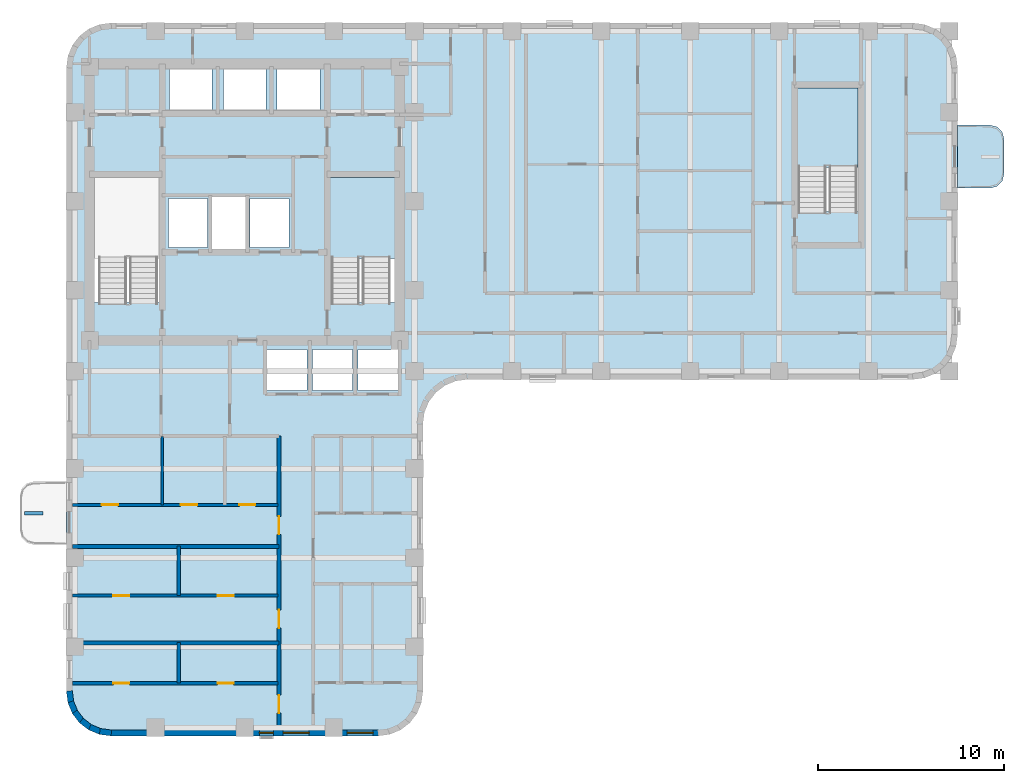
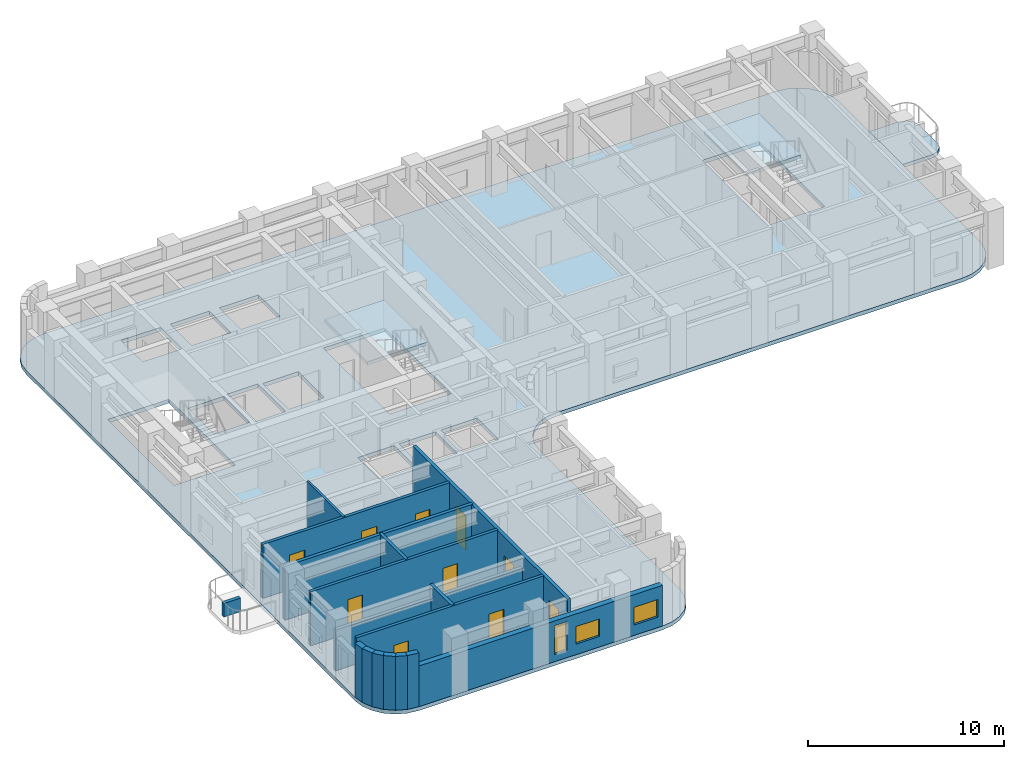
# One storey, part 2 of 10: 17 walls, 10 doors, 4 slabs, 3 windows, 13 openings, 2 elements without a shape of their own.
"""IFC4 building model written with IfcOpenShell, lengths in metres."""

import ifcopenshell
import ifcopenshell.guid

model = None  # the IFC model being written
_history = None  # IfcOwnerHistory: only IFC2X3 demands one
_inside = {}  # id of a spatial element -> (the spatial element, [elements in it])
_under = {}  # id of a project, library or spatial element -> (it, [spatial elements below it])
_declared = {}  # id of a project -> (the project, [libraries it declares])
_typed = {}  # id of a type object -> (the type object, [elements of that type])
_made_of = {}  # id of a material, layer set ... -> (it, [elements and type objects made of it])


def new_model(schema):
    """Start an empty IFC model of exactly this schema.

    Asked for "IFC4X3", IfcOpenShell would pick the latest addendum, in which some entities
    have other attributes; the version numbers below select the first issue.
    IFC2X3 requires an IfcOwnerHistory on every rooted entity: one is made here for all.
    """
    global model, _history
    if schema == "IFC4X3":
        model = ifcopenshell.file(schema_version=(4, 3, 0, 0))
    else:
        model = ifcopenshell.file(schema=schema)
    _inside.clear()
    _under.clear()
    _declared.clear()
    _typed.clear()
    _made_of.clear()
    _history = None
    if model.schema == "IFC2X3":
        org = make("IfcOrganization", Name="unknown")
        user = make(
            "IfcPersonAndOrganization",
            ThePerson=make("IfcPerson", FamilyName="unknown"),
            TheOrganization=org,
        )
        app = make(
            "IfcApplication",
            ApplicationDeveloper=org,
            Version="unknown",
            ApplicationFullName="unknown",
            ApplicationIdentifier="unknown",
        )
        _history = make(
            "IfcOwnerHistory",
            OwningUser=user,
            OwningApplication=app,
            ChangeAction="ADDED",
            CreationDate=0,
        )
    return model


def make(cls, **values):
    """One entity of the class cls with the attributes given. An attribute that is None is left unset."""
    return model.create_entity(
        cls, **{name: value for name, value in values.items() if value is not None}
    )


def rooted(cls, **values):
    """An entity with a GlobalId (a new one), such as an element, a storey or a relation."""
    return make(cls, GlobalId=ifcopenshell.guid.new(), OwnerHistory=_history, **values)


def si_unit(unit_type, name, prefix=None):
    """IfcSIUnit, for example si_unit("LENGTHUNIT", "METRE", prefix="MILLI")."""
    return make("IfcSIUnit", UnitType=unit_type, Prefix=prefix, Name=name)


def assignment(units):
    """IfcUnitAssignment: the units of a project."""
    return None if units is None else make("IfcUnitAssignment", Units=units)


def point(xyz):
    """IfcCartesianPoint."""
    return None if xyz is None else make("IfcCartesianPoint", Coordinates=xyz)


def direction(xyz):
    """IfcDirection."""
    return None if xyz is None else make("IfcDirection", DirectionRatios=xyz)


def frame(location, z_axis=None, x_axis=None):
    """IfcAxis2Placement3D, a coordinate frame: its origin and axes. An axis left out is left unset."""
    return make(
        "IfcAxis2Placement3D",
        Location=point(location),
        Axis=direction(z_axis),
        RefDirection=direction(x_axis),
    )


def frame_2d(location, x_axis=None):
    """IfcAxis2Placement2D, a coordinate frame in the plane: its origin and x axis."""
    return make(
        "IfcAxis2Placement2D", Location=point(location), RefDirection=direction(x_axis)
    )


def origin():
    """The frame at (0, 0, 0) with its axes left unset."""
    return frame((0.0, 0.0, 0.0))


def place(relative_to, where):
    """IfcLocalPlacement: puts the frame where relative to a parent placement (None: the world)."""
    return make(
        "IfcLocalPlacement", PlacementRelTo=relative_to, RelativePlacement=where
    )


def context(
    kind, dimensions, precision=None, world=None, true_north=None, identifier=None
):
    """IfcGeometricRepresentationContext, for example the 3D "Model" context."""
    return make(
        "IfcGeometricRepresentationContext",
        ContextIdentifier=identifier,
        ContextType=kind,
        CoordinateSpaceDimension=dimensions,
        Precision=precision,
        WorldCoordinateSystem=world,
        TrueNorth=true_north,
    )


def subcontext(parent, identifier, kind, view, scale=None):
    """IfcGeometricRepresentationSubContext, for example "Body" below "Model"."""
    return make(
        "IfcGeometricRepresentationSubContext",
        ContextIdentifier=identifier,
        ContextType=kind,
        ParentContext=parent,
        TargetScale=scale,
        TargetView=view,
    )


def project(units=None, contexts=None):
    """IfcProject with its units and contexts."""
    return rooted(
        "IfcProject",
        Name="project",
        RepresentationContexts=contexts,
        UnitsInContext=assignment(units),
    )


def spatial(cls, under=None, at=None, **own):
    """A site, building, storey or space (cls), placed at a placement, below another one or the project."""
    s = rooted(cls, ObjectPlacement=at, **own)
    if under is not None:
        _under.setdefault(under.id(), (under, []))[1].append(s)
    return s


def polyline(points):
    """IfcPolyline through the points."""
    return make("IfcPolyline", Points=[point(p) for p in points])


def profile(cls, at=None, kind="AREA", **sizes):
    """A parametric profile (cls). Its sizes go by their IFC names, for example OverallWidth=200.0."""
    return make(cls, ProfileType=kind, Position=at, **sizes)


def rectangle(**sizes):
    """IfcRectangleProfileDef."""
    return profile("IfcRectangleProfileDef", **sizes)


def outline(outer, holes=None, kind="AREA"):
    """IfcArbitraryClosedProfileDef: a profile drawn as a closed curve; with holes, ...WithVoids."""
    if holes is None:
        return make("IfcArbitraryClosedProfileDef", ProfileType=kind, OuterCurve=outer)
    return make(
        "IfcArbitraryProfileDefWithVoids",
        ProfileType=kind,
        OuterCurve=outer,
        InnerCurves=holes,
    )


def extrude(swept, where, along, depth):
    """IfcExtrudedAreaSolid: the profile swept, set in the frame where, extruded along a direction by depth."""
    return make(
        "IfcExtrudedAreaSolid",
        SweptArea=swept,
        Position=where,
        ExtrudedDirection=direction(along),
        Depth=depth,
    )


def shape(context_of_items, identifier, shape_type, items):
    """IfcShapeRepresentation: the items that make up one representation, for example the "Body"."""
    return make(
        "IfcShapeRepresentation",
        ContextOfItems=context_of_items,
        RepresentationIdentifier=identifier,
        RepresentationType=shape_type,
        Items=items,
    )


def material(Name=None, Category=None):
    """IfcMaterial."""
    return make("IfcMaterial", Name=Name, Category=Category)


def layer(
    of_material, thickness, ventilated=None, Name=None, Category=None, Priority=None
):
    """IfcMaterialLayer: one layer of a wall or slab, of a material (None: an air gap)."""
    return make(
        "IfcMaterialLayer",
        Material=of_material,
        LayerThickness=thickness,
        IsVentilated=ventilated,
        Name=Name,
        Category=Category,
        Priority=Priority,
    )


def layer_set(layers, Name=None):
    """IfcMaterialLayerSet."""
    return make("IfcMaterialLayerSet", MaterialLayers=layers, LayerSetName=Name)


def made_of(thing, what):
    """Note that an element or type object is made of a material, layer set ...; save() writes the relation."""
    if what is not None:
        _made_of.setdefault(what.id(), (what, []))[1].append(thing)
    return thing


def type_object(cls, material=None, **own):
    """A type object (cls), such as IfcWallType, which elements share."""
    return made_of(rooted(cls, **own), material)


def element(
    cls,
    number,
    at=None,
    inside=None,
    cuts=None,
    type_object=None,
    material=None,
    context=None,
    identifier="Body",
    shape_type=None,
    held_by="IfcProductDefinitionShape",
    body=None,
    shapes=None,
    **own,
):
    """One element of the class cls, such as IfcWall. Its Tag is "e" and its number.

    at: its placement. inside: the storey or other place that contains it. cuts: it is an
    opening in that element (IfcRelVoidsElement). A single representation is given by context,
    identifier, shape_type and body (its items); several are given by shapes. held_by: the class
    of the entity that holds the representations. save() writes the other relations.
    """
    e = rooted(cls, Tag="e%d" % number, ObjectPlacement=at, **own)
    if body is not None:
        shapes = [shape(context, identifier, shape_type, body)]
    if shapes is not None:
        e.Representation = make(held_by, Representations=shapes)
    if inside is not None:
        _inside.setdefault(inside.id(), (inside, []))[1].append(e)
    if cuts is not None:
        rooted(
            "IfcRelVoidsElement", RelatingBuildingElement=cuts, RelatedOpeningElement=e
        )
    if type_object is not None:
        _typed.setdefault(type_object.id(), (type_object, []))[1].append(e)
    return made_of(e, material)


def fill(opening, filler):
    """IfcRelFillsElement: the door or window that sits in an opening."""
    return rooted(
        "IfcRelFillsElement",
        RelatingOpeningElement=opening,
        RelatedBuildingElement=filler,
    )


def aggregate(whole, parts):
    """IfcRelAggregates: a whole, such as a stair, and the parts it consists of."""
    return rooted("IfcRelAggregates", RelatingObject=whole, RelatedObjects=parts)


def save(model, path):
    """Write the relations noted so far, then the file.

    IfcRelAggregates (storeys below a building ...), IfcRelContainedInSpatialStructure (elements
    in a storey), IfcRelDefinesByType, IfcRelAssociatesMaterial and IfcRelDeclares: one each for
    every whole, place, type object, material and project.
    """
    for whole, parts in _under.values():
        aggregate(whole, parts)
    for where, things in _inside.values():
        rooted(
            "IfcRelContainedInSpatialStructure",
            RelatedElements=things,
            RelatingStructure=where,
        )
    for kind, things in _typed.values():
        rooted("IfcRelDefinesByType", RelatedObjects=things, RelatingType=kind)
    for what, things in _made_of.values():
        rooted("IfcRelAssociatesMaterial", RelatedObjects=things, RelatingMaterial=what)
    for by, libraries in _declared.values():
        rooted("IfcRelDeclares", RelatingContext=by, RelatedDefinitions=libraries)
    model.write(path)


model = new_model("IFC4")

# Units and contexts
model_context = context("Model", 3, precision=1e-05, world=origin(), true_north=direction((0.0, 1.0)))
body_context = subcontext(model_context, "Body", "Model", "MODEL_VIEW")
ifc_project = project(units=[si_unit("LENGTHUNIT", "METRE"), si_unit("AREAUNIT", "SQUARE_METRE"), si_unit("VOLUMEUNIT", "CUBIC_METRE"), si_unit("PLANEANGLEUNIT", "RADIAN"), si_unit("MASSUNIT", "GRAM", prefix="KILO")], contexts=[model_context])

# Site, building, storey
site_placement = place(None, origin())
site = spatial("IfcSite", under=ifc_project, at=site_placement, CompositionType="ELEMENT")
building_placement = place(site_placement, origin())
building = spatial("IfcBuilding", under=site, at=building_placement, Name="Orvandelia Arch Residences", CompositionType="ELEMENT")
storey_placement = place(building_placement, frame((0.0, 0.0, 139.60009765625)))
storey = spatial("IfcBuildingStorey", under=building, at=storey_placement, Name="L36", CompositionType="ELEMENT", Elevation=139.60009765625)

# Slab
ifc_material_1 = material(Name="Precast concrete C40/50", Category="concrete")
ifc_layer_1 = layer(ifc_material_1, 0.219970703125, Name="Precast concrete C40/50", Category="concrete")
ifc_layer_set_1 = layer_set([ifc_layer_1], Name="Precast concrete C40/50")
slab_type_1 = type_object("IfcSlabType", Name="SLB-BAL-220", PredefinedType="USERDEFINED", material=ifc_layer_set_1)
slab_1_placement = place(storey_placement, frame((0.0, 0.0, -0.22021484375)))
element("IfcSlab", 1, at=slab_1_placement, inside=storey, type_object=slab_type_1, Name="Tree Balcony Cantilever Slab BAL-L36-E1", ObjectType="BALCONY", PredefinedType="USERDEFINED", context=body_context, shape_type="SweptSolid", body=[
    extrude(outline(polyline([(52.800048828125, 42.5), (52.800048828125, 39.10009765625), (54.550048828125, 39.10009765625), (54.925048828125, 39.200439453125), (55.199462890625, 39.47509765625), (55.300048828125, 39.85009765625), (55.300048828125, 41.75), (55.199462890625, 42.125), (54.925048828125, 42.3994140625), (54.550048828125, 42.5), (52.800048828125, 42.5)])), origin(), (0.0, 0.0, 1.0), 0.22021484375),
])

# Stair, slab
ifc_material_2 = material(Name="Concrete C40/50", Category="concrete")
stair_type = type_object("IfcStairType", Name="STAIR-RC-DOGLEG", PredefinedType="HALF_TURN_STAIR", material=ifc_material_2)
stair_1_placement = place(storey_placement, origin())
stair_1 = element("IfcStair", 2, at=stair_1_placement, inside=storey, type_object=stair_type, Name="L36 Protected Exit Stair ST-2", PredefinedType="HALF_TURN_STAIR")
ifc_layer_2 = layer(ifc_material_2, 0.219970703125, Name="Concrete C40/50", Category="concrete")
ifc_layer_set_2 = layer_set([ifc_layer_2], Name="Concrete C40/50")
slab_type_2 = type_object("IfcSlabType", Name="SLB-LANDING-220", PredefinedType="LANDING", material=ifc_layer_set_2)
slab_2_placement = place(storey_placement, frame((0.0, 0.0, 1.599853515625)))
slab_2 = element("IfcSlab", 3, at=slab_2_placement, type_object=slab_type_2, Name="ST-2 landing 1", PredefinedType="LANDING", context=body_context, shape_type="SweptSolid", body=[
    extrude(outline(polyline([(22.5400390625, 35.31005859375), (22.5400390625, 39.68994140625), (19.0, 39.68994140625), (19.0, 35.31005859375), (22.5400390625, 35.31005859375)])), origin(), (0.0, 0.0, 1.0), 0.199951171875),
])
aggregate(stair_1, [slab_2])

stair_2_placement = place(storey_placement, origin())
stair_2 = element("IfcStair", 4, at=stair_2_placement, inside=storey, type_object=stair_type, Name="L36 East Wing Exit Stair ST-3", PredefinedType="HALF_TURN_STAIR")
slab_3_placement = place(storey_placement, frame((0.0, 0.0, 1.599853515625)))
slab_3 = element("IfcSlab", 5, at=slab_3_placement, type_object=slab_type_2, Name="ST-3 landing 1", PredefinedType="LANDING", context=body_context, shape_type="SweptSolid", body=[
    extrude(outline(polyline([(47.43994140625, 40.2099609375), (47.43994140625, 44.5), (44.179931640625, 44.5), (44.179931640625, 40.2099609375), (47.43994140625, 40.2099609375)])), origin(), (0.0, 0.0, 1.0), 0.199951171875),
])
aggregate(stair_2, [slab_3])

# Slab
ifc_layer_3 = layer(ifc_material_2, 0.239990234375, Name="Concrete C40/50", Category="concrete")
ifc_layer_set_3 = layer_set([ifc_layer_3], Name="Concrete C40/50")
slab_type_3 = type_object("IfcSlabType", Name="SLB-TWR-240", PredefinedType="FLOOR", material=ifc_layer_set_3)
slab_4_placement = place(storey_placement, frame((0.0, 0.0, -0.239990234375)))
element("IfcSlab", 6, at=slab_4_placement, inside=storey, type_object=slab_type_3, Name="Structural Floor Slab L36-1", PredefinedType="FLOOR", context=body_context, shape_type="SweptSolid", body=[
    extrude(outline(polyline([(4.800048828125, 12.0), (4.8818359375, 11.37890625), (5.12158203125, 10.800048828125), (5.5029296875, 10.302978515625), (6.0, 9.92138671875), (6.578857421875, 9.681884765625), (7.199951171875, 9.60009765625), (21.60009765625, 9.60009765625), (22.22119140625, 9.681884765625), (22.800048828125, 9.92138671875), (23.297119140625, 10.302978515625), (23.678466796875, 10.800048828125), (23.918212890625, 11.37890625), (24.0, 12.0), (24.0, 26.39990234375), (24.081787109375, 27.021240234375), (24.321533203125, 27.60009765625), (24.702880859375, 28.09716796875), (25.199951171875, 28.478515625), (25.77880859375, 28.71826171875), (26.39990234375, 28.800048828125), (50.39990234375, 28.800048828125), (51.021240234375, 28.8818359375), (51.60009765625, 29.12158203125), (52.09716796875, 29.5029296875), (52.478515625, 30.0), (52.71826171875, 30.578857421875), (52.800048828125, 31.199951171875), (52.800048828125, 45.60009765625), (52.71826171875, 46.22119140625), (52.478515625, 46.800048828125), (52.09716796875, 47.297119140625), (51.60009765625, 47.678466796875), (51.021240234375, 47.918212890625), (50.39990234375, 48.0), (7.199951171875, 48.0), (6.578857421875, 47.918212890625), (6.0, 47.678466796875), (5.5029296875, 47.297119140625), (5.12158203125, 46.800048828125), (4.8818359375, 46.22119140625), (4.800048828125, 45.60009765625), (4.800048828125, 12.0)]), holes=[polyline([(6.219970703125, 32.949951171875), (9.840087890625, 32.949951171875), (9.840087890625, 39.72998046875), (6.219970703125, 39.72998046875), (6.219970703125, 32.949951171875)]), polyline([(18.9599609375, 32.949951171875), (22.580078125, 32.949951171875), (22.580078125, 39.72998046875), (18.9599609375, 39.72998046875), (18.9599609375, 32.949951171875)]), polyline([(44.139892578125, 37.85009765625), (47.47998046875, 37.85009765625), (47.47998046875, 44.5400390625), (44.139892578125, 44.5400390625), (44.139892578125, 37.85009765625)]), polyline([(12.639892578125, 35.81005859375), (14.4599609375, 35.81005859375), (14.4599609375, 38.639892578125), (12.639892578125, 38.639892578125), (12.639892578125, 35.81005859375)]), polyline([(10.300048828125, 35.89990234375), (12.39990234375, 35.89990234375), (12.39990234375, 38.550048828125), (10.300048828125, 38.550048828125), (10.300048828125, 35.89990234375)]), polyline([(14.699951171875, 35.89990234375), (16.800048828125, 35.89990234375), (16.800048828125, 38.550048828125), (14.699951171875, 38.550048828125), (14.699951171875, 35.89990234375)]), polyline([(10.35009765625, 43.300048828125), (12.64990234375, 43.300048828125), (12.64990234375, 45.5), (10.35009765625, 45.5), (10.35009765625, 43.300048828125)]), polyline([(13.25, 43.300048828125), (15.550048828125, 43.300048828125), (15.550048828125, 45.5), (13.25, 45.5), (13.25, 43.300048828125)]), polyline([(16.14990234375, 43.300048828125), (18.449951171875, 43.300048828125), (18.449951171875, 45.5), (16.14990234375, 45.5), (16.14990234375, 43.300048828125)]), polyline([(15.60009765625, 28.199951171875), (17.75, 28.199951171875), (17.75, 30.39990234375), (15.60009765625, 30.39990234375), (15.60009765625, 28.199951171875)]), polyline([(18.050048828125, 28.199951171875), (20.199951171875, 28.199951171875), (20.199951171875, 30.39990234375), (18.050048828125, 30.39990234375), (18.050048828125, 28.199951171875)]), polyline([(20.5, 28.199951171875), (22.64990234375, 28.199951171875), (22.64990234375, 30.39990234375), (20.5, 30.39990234375), (20.5, 28.199951171875)])]), origin(), (0.0, 0.0, 1.0), 0.239990234375),
])

# Wall, openings, doors
ifc_material_3 = material(Name="Fire-Rated Corridor Partition")
ifc_layer_4 = layer(ifc_material_3, 0.199951171875, Name="Fire-Rated Corridor Partition")
ifc_layer_set_4 = layer_set([ifc_layer_4], Name="Fire-Rated Corridor Partition")
wall_type_1 = type_object("IfcWallType", Name="WL-CORR-200", PredefinedType="PARTITIONING", material=ifc_layer_set_4)
wall_1_placement = place(storey_placement, frame((16.25, 9.919921875, 0.0), z_axis=(0.0, 0.0, 1.0), x_axis=(0.0, 1.0, 0.0)))
wall_1 = element("IfcWall", 7, at=wall_1_placement, inside=storey, type_object=wall_type_1, Name="Interior Partition Wall WL-L36-WC-W", PredefinedType="PARTITIONING", context=body_context, shape_type="SweptSolid", body=[
    extrude(rectangle(XDim=15.830078125, YDim=0.199951171875, at=frame_2d((7.9150390625, 0.0))), origin(), (0.0, 0.0, 1.0), 3.35986328125),
])
opening_1_placement = place(wall_1_placement, frame((0.902099609375, 0.0, 0.0)))
opening_1 = element("IfcOpeningElement", 8, at=opening_1_placement, cuts=wall_1, Name="Opening D1", PredefinedType="OPENING", context=body_context, shape_type="SweptSolid", body=[
    extrude(rectangle(XDim=0.97998046875, YDim=2.179931640625, at=frame_2d((0.489990234375, 1.08984375))), frame((0.0, 0.10986328125, 0.0), z_axis=(0.0, -1.0, 0.0), x_axis=(1.0, 0.0, 0.0)), (0.0, 0.0, 1.0), 0.219970703125),
])
opening_2_placement = place(wall_1_placement, frame((5.489990234375, 0.0, 0.0)))
opening_2 = element("IfcOpeningElement", 9, at=opening_2_placement, cuts=wall_1, Name="Opening D1", PredefinedType="OPENING", context=body_context, shape_type="SweptSolid", body=[
    extrude(rectangle(XDim=0.97998046875, YDim=2.179931640625, at=frame_2d((0.489990234375, 1.08984375))), frame((0.0, 0.10986328125, 0.0), z_axis=(0.0, -1.0, 0.0), x_axis=(1.0, 0.0, 0.0)), (0.0, 0.0, 1.0), 0.219970703125),
])
opening_3_placement = place(wall_1_placement, frame((10.530029296875, 0.0, 0.0)))
opening_3 = element("IfcOpeningElement", 10, at=opening_3_placement, cuts=wall_1, Name="Opening D1", PredefinedType="OPENING", context=body_context, shape_type="SweptSolid", body=[
    extrude(rectangle(XDim=0.97998046875, YDim=2.179931640625, at=frame_2d((0.489990234375, 1.08984375))), frame((0.0, 0.10986328125, 0.0), z_axis=(0.0, -1.0, 0.0), x_axis=(1.0, 0.0, 0.0)), (0.0, 0.0, 1.0), 0.219970703125),
])
ifc_material_4 = material(Name="Solid-Core Timber Acoustic Fire Door", Category="wood")
door_type_1 = type_object("IfcDoorType", Name="DR-ENT-980", OperationType="NOTDEFINED", PredefinedType="DOOR", material=ifc_material_4)
door_1_placement = place(opening_1_placement, origin())
door_1 = element("IfcDoor", 11, at=door_1_placement, inside=storey, type_object=door_type_1, Name="Unit L36-01 Entrance Door", OperationType="SINGLE_SWING_LEFT", OverallHeight=2.179931640625, OverallWidth=0.97998046875, PredefinedType="DOOR", context=body_context, shape_type="SweptSolid", body=[
    extrude(rectangle(XDim=0.97998046875, YDim=2.179931640625, at=frame_2d((0.489990234375, 1.08984375))), frame((0.0, 0.02490234375, 0.0), z_axis=(0.0, -1.0, 0.0), x_axis=(1.0, 0.0, 0.0)), (0.0, 0.0, 1.0), 0.050048828125),
])
fill(opening_1, door_1)
door_2_placement = place(opening_2_placement, origin())
door_2 = element("IfcDoor", 12, at=door_2_placement, inside=storey, type_object=door_type_1, Name="Unit L36-02 Entrance Door", OperationType="SINGLE_SWING_RIGHT", OverallHeight=2.179931640625, OverallWidth=0.97998046875, PredefinedType="DOOR", context=body_context, shape_type="SweptSolid", body=[
    extrude(rectangle(XDim=0.97998046875, YDim=2.179931640625, at=frame_2d((0.489990234375, 1.08984375))), frame((0.0, 0.02490234375, 0.0), z_axis=(0.0, -1.0, 0.0), x_axis=(1.0, 0.0, 0.0)), (0.0, 0.0, 1.0), 0.050048828125),
])
fill(opening_2, door_2)
door_3_placement = place(opening_3_placement, origin())
door_3 = element("IfcDoor", 13, at=door_3_placement, inside=storey, type_object=door_type_1, Name="Unit L36-03 Entrance Door", OperationType="SINGLE_SWING_LEFT", OverallHeight=2.179931640625, OverallWidth=0.97998046875, PredefinedType="DOOR", context=body_context, shape_type="SweptSolid", body=[
    extrude(rectangle(XDim=0.97998046875, YDim=2.179931640625, at=frame_2d((0.489990234375, 1.08984375))), frame((0.0, 0.02490234375, 0.0), z_axis=(0.0, -1.0, 0.0), x_axis=(1.0, 0.0, 0.0)), (0.0, 0.0, 1.0), 0.050048828125),
])
fill(opening_3, door_3)

# Walls
ifc_layer_5 = layer(ifc_material_2, 0.199951171875, Name="Concrete C40/50", Category="concrete")
ifc_layer_set_5 = layer_set([ifc_layer_5], Name="Concrete C40/50")
wall_type_2 = type_object("IfcWallType", Name="WL-DEM-200", PredefinedType="SOLIDWALL", material=ifc_layer_set_5)
wall_2_placement = place(storey_placement, frame((5.1201171875, 14.60009765625, 0.0), z_axis=(0.0, 0.0, 1.0), x_axis=(1.0, 0.0, 0.0)))
element("IfcWall", 14, at=wall_2_placement, inside=storey, type_object=wall_type_2, Name="Interior Partition Wall WL-L36-DEM-WL-146", PredefinedType="SOLIDWALL", context=body_context, shape_type="SweptSolid", body=[
    extrude(rectangle(XDim=11.1298828125, YDim=0.199951171875, at=frame_2d((5.56494140625, 0.0))), origin(), (0.0, 0.0, 1.0), 2.539794921875),
])
wall_3_placement = place(storey_placement, frame((5.1201171875, 19.800048828125, 0.0), z_axis=(0.0, 0.0, 1.0), x_axis=(1.0, 0.0, 0.0)))
element("IfcWall", 15, at=wall_3_placement, inside=storey, type_object=wall_type_2, Name="Interior Partition Wall WL-L36-DEM-WL-198", PredefinedType="SOLIDWALL", context=body_context, shape_type="SweptSolid", body=[
    extrude(rectangle(XDim=11.1298828125, YDim=0.199951171875, at=frame_2d((5.56494140625, 0.0))), origin(), (0.0, 0.0, 1.0), 3.35986328125),
])

# Wall, openings, windows
ifc_layer_6 = layer(ifc_material_1, 0.320068359375, Name="Precast concrete C40/50", Category="concrete")
ifc_layer_set_6 = layer_set([ifc_layer_6], Name="Precast concrete C40/50")
wall_type_3 = type_object("IfcWallType", Name="WL-EXT-STONE-320", PredefinedType="STANDARD", material=ifc_layer_set_6)
wall_4_placement = place(storey_placement, frame((21.60009765625, 9.760009765625, 0.0), z_axis=(0.0, 0.0, 1.0), x_axis=(-1.0, 0.0, 0.0)))
wall_4 = element("IfcWall", 16, at=wall_4_placement, inside=storey, type_object=wall_type_3, Name="Coral-Limestone Precast Facade Wall L36-035", PredefinedType="STANDARD", context=body_context, shape_type="SweptSolid", body=[
    extrude(rectangle(XDim=14.400146484375, YDim=0.320068359375, at=frame_2d((7.2001953125, 0.0))), origin(), (0.0, 0.0, 1.0), 2.539794921875),
])
opening_4_placement = place(wall_4_placement, frame((5.652587890625, 0.0, 0.449951171875)))
opening_4 = element("IfcOpeningElement", 17, at=opening_4_placement, cuts=wall_4, Name="Opening W11", PredefinedType="OPENING", context=body_context, shape_type="SweptSolid", body=[
    extrude(rectangle(XDim=0.75, YDim=1.800048828125, at=frame_2d((0.375, 0.89990234375))), frame((0.0, 0.169921875, 0.0), z_axis=(0.0, -1.0, 0.0), x_axis=(1.0, 0.0, 0.0)), (0.0, 0.0, 1.0), 0.340087890625),
])
opening_5_placement = place(wall_4_placement, frame((3.72509765625, 0.0, 0.64990234375)))
opening_5 = element("IfcOpeningElement", 18, at=opening_5_placement, cuts=wall_4, Name="Opening W10", PredefinedType="OPENING", context=body_context, shape_type="SweptSolid", body=[
    extrude(rectangle(XDim=1.39990234375, YDim=1.10009765625, at=frame_2d((0.699951171875, 0.550048828125))), frame((0.0, 0.169921875, 0.0), z_axis=(0.0, -1.0, 0.0), x_axis=(1.0, 0.0, 0.0)), (0.0, 0.0, 1.0), 0.340087890625),
])
opening_6_placement = place(wall_4_placement, frame((0.282470703125, 0.0, 0.64990234375)))
opening_6 = element("IfcOpeningElement", 19, at=opening_6_placement, cuts=wall_4, Name="Opening W10", PredefinedType="OPENING", context=body_context, shape_type="SweptSolid", body=[
    extrude(rectangle(XDim=1.39990234375, YDim=1.10009765625, at=frame_2d((0.699951171875, 0.550048828125))), frame((0.0, 0.169921875, 0.0), z_axis=(0.0, -1.0, 0.0), x_axis=(1.0, 0.0, 0.0)), (0.0, 0.0, 1.0), 0.340087890625),
])
ifc_material_5 = material(Name="Tempered Low-E Insulated Glazing", Category="glass")
window_type_1 = type_object("IfcWindowType", Name="WIN-BED-0750x1800", PartitioningType="SINGLE_PANEL", PredefinedType="WINDOW", material=ifc_material_5)
window_1_placement = place(opening_4_placement, origin())
window_1 = element("IfcWindow", 20, at=window_1_placement, inside=storey, type_object=window_type_1, Name="Recessed Punched Window L36-018", OverallHeight=1.800048828125, OverallWidth=0.75, PartitioningType="SINGLE_PANEL", PredefinedType="WINDOW", context=body_context, shape_type="SweptSolid", body=[
    extrude(rectangle(XDim=0.75, YDim=1.800048828125, at=frame_2d((0.375, 0.89990234375))), frame((0.0, 0.030029296875, 0.0), z_axis=(0.0, -1.0, 0.0), x_axis=(1.0, 0.0, 0.0)), (0.0, 0.0, 1.0), 0.06005859375),
])
fill(opening_4, window_1)
window_type_2 = type_object("IfcWindowType", Name="WIN-CLR-1400x1100", PartitioningType="SINGLE_PANEL", PredefinedType="WINDOW", material=ifc_material_5)
window_2_placement = place(opening_5_placement, origin())
window_2 = element("IfcWindow", 21, at=window_2_placement, inside=storey, type_object=window_type_2, Name="Recessed Punched Window L36-019", OverallHeight=1.10009765625, OverallWidth=1.39990234375, PartitioningType="SINGLE_PANEL", PredefinedType="WINDOW", context=body_context, shape_type="SweptSolid", body=[
    extrude(rectangle(XDim=1.39990234375, YDim=1.10009765625, at=frame_2d((0.699951171875, 0.550048828125))), frame((0.0, 0.030029296875, 0.0), z_axis=(0.0, -1.0, 0.0), x_axis=(1.0, 0.0, 0.0)), (0.0, 0.0, 1.0), 0.06005859375),
])
fill(opening_5, window_2)
window_3_placement = place(opening_6_placement, origin())
window_3 = element("IfcWindow", 22, at=window_3_placement, inside=storey, type_object=window_type_2, Name="Recessed Punched Window L36-020", OverallHeight=1.10009765625, OverallWidth=1.39990234375, PartitioningType="SINGLE_PANEL", PredefinedType="WINDOW", context=body_context, shape_type="SweptSolid", body=[
    extrude(rectangle(XDim=1.39990234375, YDim=1.10009765625, at=frame_2d((0.699951171875, 0.550048828125))), frame((0.0, 0.030029296875, 0.0), z_axis=(0.0, -1.0, 0.0), x_axis=(1.0, 0.0, 0.0)), (0.0, 0.0, 1.0), 0.06005859375),
])
fill(opening_6, window_3)

# Walls
wall_5_placement = place(storey_placement, frame((7.220947265625, 9.758544921875, 0.0), z_axis=(0.0, 0.0, 1.0), x_axis=(-0.991447664465, 0.130504898859, 0.0)))
element("IfcWall", 23, at=wall_5_placement, inside=storey, type_object=wall_type_3, Name="Coral-Limestone Precast Facade Wall L36-036", PredefinedType="STANDARD", context=body_context, shape_type="SweptSolid", body=[
    extrude(rectangle(XDim=0.626708984375, YDim=0.320068359375, at=frame_2d((0.3134765625, 0.0))), origin(), (0.0, 0.0, 1.0), 3.35986328125),
])
wall_6_placement = place(storey_placement, frame((6.639892578125, 9.82958984375, 0.0), z_axis=(0.0, 0.0, 1.0), x_axis=(-0.923836271867, 0.382787856107, 0.0)))
element("IfcWall", 24, at=wall_6_placement, inside=storey, type_object=wall_type_3, Name="Coral-Limestone Precast Facade Wall L36-037", PredefinedType="STANDARD", context=body_context, shape_type="SweptSolid", body=[
    extrude(rectangle(XDim=0.626220703125, YDim=0.320068359375, at=frame_2d((0.31298828125, 0.0))), origin(), (0.0, 0.0, 1.0), 3.35986328125),
])
wall_7_placement = place(storey_placement, frame((6.097412109375, 10.04833984375, 0.0), z_axis=(0.0, 0.0, 1.0), x_axis=(-0.793405610854, 0.608693302629, 0.0)))
element("IfcWall", 25, at=wall_7_placement, inside=storey, type_object=wall_type_3, Name="Coral-Limestone Precast Facade Wall L36-038", PredefinedType="STANDARD", context=body_context, shape_type="SweptSolid", body=[
    extrude(rectangle(XDim=0.62646484375, YDim=0.320068359375, at=frame_2d((0.313232421875, 0.0))), origin(), (0.0, 0.0, 1.0), 3.35986328125),
])
wall_8_placement = place(storey_placement, frame((5.6298828125, 10.400390625, 0.0), z_axis=(0.0, 0.0, 1.0), x_axis=(-0.608938521285, 0.7932174212, 0.0)))
element("IfcWall", 26, at=wall_8_placement, inside=storey, type_object=wall_type_3, Name="Coral-Limestone Precast Facade Wall L36-039", PredefinedType="STANDARD", context=body_context, shape_type="SweptSolid", body=[
    extrude(rectangle(XDim=0.626708984375, YDim=0.320068359375, at=frame_2d((0.3134765625, 0.0))), origin(), (0.0, 0.0, 1.0), 3.35986328125),
])
wall_9_placement = place(storey_placement, frame((5.269287109375, 10.861083984375, 0.0), z_axis=(0.0, 0.0, 1.0), x_axis=(-0.382650053678, 0.92389335771, 0.0)))
element("IfcWall", 27, at=wall_9_placement, inside=storey, type_object=wall_type_3, Name="Coral-Limestone Precast Facade Wall L36-040", PredefinedType="STANDARD", context=body_context, shape_type="SweptSolid", body=[
    extrude(rectangle(XDim=0.62646484375, YDim=0.320068359375, at=frame_2d((0.313232421875, 0.0))), origin(), (0.0, 0.0, 1.0), 3.35986328125),
])
wall_10_placement = place(storey_placement, frame((5.040283203125, 11.399658203125, 0.0), z_axis=(0.0, 0.0, 1.0), x_axis=(-0.130504898859, 0.991447664465, 0.0)))
element("IfcWall", 28, at=wall_10_placement, inside=storey, type_object=wall_type_3, Name="Coral-Limestone Precast Facade Wall L36-041", PredefinedType="STANDARD", context=body_context, shape_type="SweptSolid", body=[
    extrude(rectangle(XDim=0.626708984375, YDim=0.320068359375, at=frame_2d((0.3134765625, 0.0))), origin(), (0.0, 0.0, 1.0), 3.35986328125),
])
ifc_material_6 = material(Name="Lightweight Gypsum Stud Partition")
ifc_layer_7 = layer(ifc_material_6, 0.1201171875, Name="Lightweight Gypsum Stud Partition")
ifc_layer_set_7 = layer_set([ifc_layer_7], Name="Lightweight Gypsum Stud Partition")
wall_type_4 = type_object("IfcWallType", Name="WL-PART-120", PredefinedType="PARTITIONING", material=ifc_layer_set_7)
wall_11_placement = place(storey_placement, frame((9.95703125, 22.0400390625, 0.0), z_axis=(0.0, 0.0, 1.0), x_axis=(0.0, 1.0, 0.0)))
element("IfcWall", 29, at=wall_11_placement, inside=storey, type_object=wall_type_4, Name="Interior Partition Wall WL-L36-U03-V1", PredefinedType="PARTITIONING", context=body_context, shape_type="SweptSolid", body=[
    extrude(rectangle(XDim=3.679931640625, YDim=0.1201171875, at=frame_2d((1.83984375, 0.0))), origin(), (0.0, 0.0, 1.0), 3.35986328125),
])
ifc_layer_8 = layer(ifc_material_1, 0.199951171875, Name="Precast concrete C40/50", Category="concrete")
ifc_layer_set_8 = layer_set([ifc_layer_8], Name="Precast concrete C40/50")
wall_type_5 = type_object("IfcWallType", Name="WL-PLANTER-200", PredefinedType="MOVABLE", material=ifc_layer_set_8)
wall_12_placement = place(storey_placement, frame((2.550048828125, 21.60009765625, 0.0), z_axis=(0.0, 0.0, 1.0), x_axis=(1.0, 0.0, 0.0)))
element("IfcWall", 30, at=wall_12_placement, inside=storey, type_object=wall_type_5, Name="Balcony Precast Tree Planter BAL-L36-W1", PredefinedType="MOVABLE", context=body_context, shape_type="SweptSolid", body=[
    extrude(rectangle(XDim=1.0, YDim=0.199951171875, at=frame_2d((0.5, 0.0))), origin(), (0.0, 0.0, 1.0), 0.849853515625),
])

# Wall, openings, doors
ifc_material_7 = material(Name="Moisture-Resistant Plumbing Wall")
ifc_layer_9 = layer(ifc_material_7, 0.179931640625, Name="Moisture-Resistant Plumbing Wall")
ifc_layer_set_9 = layer_set([ifc_layer_9], Name="Moisture-Resistant Plumbing Wall")
wall_type_6 = type_object("IfcWallType", Name="WL-WET-180", PredefinedType="PLUMBINGWALL", material=ifc_layer_set_9)
wall_13_placement = place(storey_placement, frame((5.1201171875, 12.444091796875, 0.0), z_axis=(0.0, 0.0, 1.0), x_axis=(1.0, 0.0, 0.0)))
wall_13 = element("IfcWall", 31, at=wall_13_placement, inside=storey, type_object=wall_type_6, Name="Interior Partition Wall WL-L36-U01-HZ", PredefinedType="PLUMBINGWALL", context=body_context, shape_type="SweptSolid", body=[
    extrude(rectangle(XDim=11.06982421875, YDim=0.179931640625, at=frame_2d((5.534912109375, 0.0))), origin(), (0.0, 0.0, 1.0), 3.35986328125),
])
opening_7_placement = place(wall_13_placement, frame((2.208984375, 0.0, 0.0)))
opening_7 = element("IfcOpeningElement", 32, at=opening_7_placement, cuts=wall_13, Name="Opening D4", PredefinedType="OPENING", context=body_context, shape_type="SweptSolid", body=[
    extrude(rectangle(XDim=0.860107421875, YDim=2.10009765625, at=frame_2d((0.43017578125, 1.050048828125))), frame((0.0, 0.10009765625, 0.0), z_axis=(0.0, -1.0, 0.0), x_axis=(1.0, 0.0, 0.0)), (0.0, 0.0, 1.0), 0.199951171875),
])
opening_8_placement = place(wall_13_placement, frame((7.823974609375, 0.0, 0.0)))
opening_8 = element("IfcOpeningElement", 33, at=opening_8_placement, cuts=wall_13, Name="Opening D4", PredefinedType="OPENING", context=body_context, shape_type="SweptSolid", body=[
    extrude(rectangle(XDim=0.860107421875, YDim=2.10009765625, at=frame_2d((0.43017578125, 1.050048828125))), frame((0.0, 0.10009765625, 0.0), z_axis=(0.0, -1.0, 0.0), x_axis=(1.0, 0.0, 0.0)), (0.0, 0.0, 1.0), 0.199951171875),
])
ifc_material_8 = material(Name="Moisture-Sealed Timber Bathroom Door", Category="wood")
door_type_2 = type_object("IfcDoorType", Name="DR-WET-900", OperationType="NOTDEFINED", PredefinedType="DOOR", material=ifc_material_8)
door_4_placement = place(opening_7_placement, origin())
door_4 = element("IfcDoor", 34, at=door_4_placement, inside=storey, type_object=door_type_2, Name="DR-L36-U01-KIT", OperationType="SINGLE_SWING_LEFT", OverallHeight=2.10009765625, OverallWidth=0.860107421875, PredefinedType="DOOR", context=body_context, shape_type="SweptSolid", body=[
    extrude(rectangle(XDim=0.860107421875, YDim=2.10009765625, at=frame_2d((0.43017578125, 1.050048828125))), frame((0.0, 0.02490234375, 0.0), z_axis=(0.0, -1.0, 0.0), x_axis=(1.0, 0.0, 0.0)), (0.0, 0.0, 1.0), 0.050048828125),
])
fill(opening_7, door_4)
door_5_placement = place(opening_8_placement, origin())
door_5 = element("IfcDoor", 35, at=door_5_placement, inside=storey, type_object=door_type_2, Name="DR-L36-U01-BTH", OperationType="SINGLE_SWING_RIGHT", OverallHeight=2.10009765625, OverallWidth=0.860107421875, PredefinedType="DOOR", context=body_context, shape_type="SweptSolid", body=[
    extrude(rectangle(XDim=0.860107421875, YDim=2.10009765625, at=frame_2d((0.43017578125, 1.050048828125))), frame((0.0, 0.02490234375, 0.0), z_axis=(0.0, -1.0, 0.0), x_axis=(1.0, 0.0, 0.0)), (0.0, 0.0, 1.0), 0.050048828125),
])
fill(opening_8, door_5)

# Wall
wall_14_placement = place(storey_placement, frame((10.847900390625, 12.444091796875, 0.0), z_axis=(0.0, 0.0, 1.0), x_axis=(0.0, 1.0, 0.0)))
element("IfcWall", 36, at=wall_14_placement, inside=storey, type_object=wall_type_6, Name="Interior Partition Wall WL-L36-U01-V1", PredefinedType="PLUMBINGWALL", context=body_context, shape_type="SweptSolid", body=[
    extrude(rectangle(XDim=2.19580078125, YDim=0.179931640625, at=frame_2d((1.097900390625, 0.0))), origin(), (0.0, 0.0, 1.0), 3.35986328125),
])

# Wall, openings, doors
wall_15_placement = place(storey_placement, frame((5.1201171875, 17.159912109375, 0.0), z_axis=(0.0, 0.0, 1.0), x_axis=(1.0, 0.0, 0.0)))
wall_15 = element("IfcWall", 37, at=wall_15_placement, inside=storey, type_object=wall_type_6, Name="Interior Partition Wall WL-L36-U02-HZ", PredefinedType="PLUMBINGWALL", context=body_context, shape_type="SweptSolid", body=[
    extrude(rectangle(XDim=11.06982421875, YDim=0.179931640625, at=frame_2d((5.534912109375, 0.0))), origin(), (0.0, 0.0, 1.0), 3.35986328125),
])
opening_9_placement = place(wall_15_placement, frame((2.208984375, 0.0, 0.0)))
opening_9 = element("IfcOpeningElement", 38, at=opening_9_placement, cuts=wall_15, Name="Opening D4", PredefinedType="OPENING", context=body_context, shape_type="SweptSolid", body=[
    extrude(rectangle(XDim=0.860107421875, YDim=2.10009765625, at=frame_2d((0.43017578125, 1.050048828125))), frame((0.0, 0.10009765625, 0.0), z_axis=(0.0, -1.0, 0.0), x_axis=(1.0, 0.0, 0.0)), (0.0, 0.0, 1.0), 0.199951171875),
])
opening_10_placement = place(wall_15_placement, frame((7.823974609375, 0.0, 0.0)))
opening_10 = element("IfcOpeningElement", 39, at=opening_10_placement, cuts=wall_15, Name="Opening D4", PredefinedType="OPENING", context=body_context, shape_type="SweptSolid", body=[
    extrude(rectangle(XDim=0.860107421875, YDim=2.10009765625, at=frame_2d((0.43017578125, 1.050048828125))), frame((0.0, 0.10009765625, 0.0), z_axis=(0.0, -1.0, 0.0), x_axis=(1.0, 0.0, 0.0)), (0.0, 0.0, 1.0), 0.199951171875),
])
door_6_placement = place(opening_9_placement, origin())
door_6 = element("IfcDoor", 40, at=door_6_placement, inside=storey, type_object=door_type_2, Name="DR-L36-U02-KIT", OperationType="SINGLE_SWING_RIGHT", OverallHeight=2.10009765625, OverallWidth=0.860107421875, PredefinedType="DOOR", context=body_context, shape_type="SweptSolid", body=[
    extrude(rectangle(XDim=0.860107421875, YDim=2.10009765625, at=frame_2d((0.43017578125, 1.050048828125))), frame((0.0, 0.02490234375, 0.0), z_axis=(0.0, -1.0, 0.0), x_axis=(1.0, 0.0, 0.0)), (0.0, 0.0, 1.0), 0.050048828125),
])
fill(opening_9, door_6)
door_7_placement = place(opening_10_placement, origin())
door_7 = element("IfcDoor", 41, at=door_7_placement, inside=storey, type_object=door_type_2, Name="DR-L36-U02-BTH", OperationType="SINGLE_SWING_LEFT", OverallHeight=2.10009765625, OverallWidth=0.860107421875, PredefinedType="DOOR", context=body_context, shape_type="SweptSolid", body=[
    extrude(rectangle(XDim=0.860107421875, YDim=2.10009765625, at=frame_2d((0.43017578125, 1.050048828125))), frame((0.0, 0.02490234375, 0.0), z_axis=(0.0, -1.0, 0.0), x_axis=(1.0, 0.0, 0.0)), (0.0, 0.0, 1.0), 0.050048828125),
])
fill(opening_10, door_7)

# Wall
wall_16_placement = place(storey_placement, frame((10.847900390625, 17.159912109375, 0.0), z_axis=(0.0, 0.0, 1.0), x_axis=(0.0, 1.0, 0.0)))
element("IfcWall", 42, at=wall_16_placement, inside=storey, type_object=wall_type_6, Name="Interior Partition Wall WL-L36-U02-V1", PredefinedType="PLUMBINGWALL", context=body_context, shape_type="SweptSolid", body=[
    extrude(rectangle(XDim=2.68017578125, YDim=0.179931640625, at=frame_2d((1.340087890625, 0.0))), origin(), (0.0, 0.0, 1.0), 3.35986328125),
])

# Wall, openings, doors
wall_17_placement = place(storey_placement, frame((5.1201171875, 22.0400390625, 0.0), z_axis=(0.0, 0.0, 1.0), x_axis=(1.0, 0.0, 0.0)))
wall_17 = element("IfcWall", 43, at=wall_17_placement, inside=storey, type_object=wall_type_6, Name="Interior Partition Wall WL-L36-U03-HZ", PredefinedType="PLUMBINGWALL", context=body_context, shape_type="SweptSolid", body=[
    extrude(rectangle(XDim=11.06982421875, YDim=0.179931640625, at=frame_2d((5.534912109375, 0.0))), origin(), (0.0, 0.0, 1.0), 3.35986328125),
])
opening_11_placement = place(wall_17_placement, frame((1.5712890625, 0.0, 0.0)))
opening_11 = element("IfcOpeningElement", 44, at=opening_11_placement, cuts=wall_17, Name="Opening D3", PredefinedType="OPENING", context=body_context, shape_type="SweptSolid", body=[
    extrude(rectangle(XDim=0.89990234375, YDim=2.14990234375, at=frame_2d((0.449951171875, 1.074951171875))), frame((0.0, 0.10009765625, 0.0), z_axis=(0.0, -1.0, 0.0), x_axis=(1.0, 0.0, 0.0)), (0.0, 0.0, 1.0), 0.199951171875),
])
opening_12_placement = place(wall_17_placement, frame((5.834228515625, 0.0, 0.0)))
opening_12 = element("IfcOpeningElement", 45, at=opening_12_placement, cuts=wall_17, Name="Opening D3", PredefinedType="OPENING", context=body_context, shape_type="SweptSolid", body=[
    extrude(rectangle(XDim=0.89990234375, YDim=2.14990234375, at=frame_2d((0.449951171875, 1.074951171875))), frame((0.0, 0.10009765625, 0.0), z_axis=(0.0, -1.0, 0.0), x_axis=(1.0, 0.0, 0.0)), (0.0, 0.0, 1.0), 0.199951171875),
])
opening_13_placement = place(wall_17_placement, frame((8.998046875, 0.0, 0.0)))
opening_13 = element("IfcOpeningElement", 46, at=opening_13_placement, cuts=wall_17, Name="Opening D4", PredefinedType="OPENING", context=body_context, shape_type="SweptSolid", body=[
    extrude(rectangle(XDim=0.860107421875, YDim=2.10009765625, at=frame_2d((0.43017578125, 1.050048828125))), frame((0.0, 0.10009765625, 0.0), z_axis=(0.0, -1.0, 0.0), x_axis=(1.0, 0.0, 0.0)), (0.0, 0.0, 1.0), 0.199951171875),
])
ifc_material_9 = material(Name="Engineered Timber Flush Door", Category="wood")
door_type_3 = type_object("IfcDoorType", Name="DR-INT-900", OperationType="NOTDEFINED", PredefinedType="DOOR", material=ifc_material_9)
door_8_placement = place(opening_11_placement, origin())
door_8 = element("IfcDoor", 47, at=door_8_placement, inside=storey, type_object=door_type_3, Name="DR-L36-U03-BD1", OperationType="SINGLE_SWING_LEFT", OverallHeight=2.14990234375, OverallWidth=0.89990234375, PredefinedType="DOOR", context=body_context, shape_type="SweptSolid", body=[
    extrude(rectangle(XDim=0.89990234375, YDim=2.14990234375, at=frame_2d((0.449951171875, 1.074951171875))), frame((0.0, 0.02490234375, 0.0), z_axis=(0.0, -1.0, 0.0), x_axis=(1.0, 0.0, 0.0)), (0.0, 0.0, 1.0), 0.050048828125),
])
fill(opening_11, door_8)
door_9_placement = place(opening_12_placement, origin())
door_9 = element("IfcDoor", 48, at=door_9_placement, inside=storey, type_object=door_type_3, Name="DR-L36-U03-KIT", OperationType="SINGLE_SWING_RIGHT", OverallHeight=2.14990234375, OverallWidth=0.89990234375, PredefinedType="DOOR", context=body_context, shape_type="SweptSolid", body=[
    extrude(rectangle(XDim=0.89990234375, YDim=2.14990234375, at=frame_2d((0.449951171875, 1.074951171875))), frame((0.0, 0.02490234375, 0.0), z_axis=(0.0, -1.0, 0.0), x_axis=(1.0, 0.0, 0.0)), (0.0, 0.0, 1.0), 0.050048828125),
])
fill(opening_12, door_9)
door_10_placement = place(opening_13_placement, origin())
door_10 = element("IfcDoor", 49, at=door_10_placement, inside=storey, type_object=door_type_2, Name="DR-L36-U03-BTH", OperationType="SINGLE_SWING_LEFT", OverallHeight=2.10009765625, OverallWidth=0.860107421875, PredefinedType="DOOR", context=body_context, shape_type="SweptSolid", body=[
    extrude(rectangle(XDim=0.860107421875, YDim=2.10009765625, at=frame_2d((0.43017578125, 1.050048828125))), frame((0.0, 0.02490234375, 0.0), z_axis=(0.0, -1.0, 0.0), x_axis=(1.0, 0.0, 0.0)), (0.0, 0.0, 1.0), 0.050048828125),
])
fill(opening_13, door_10)

save(model, "model.ifc")
